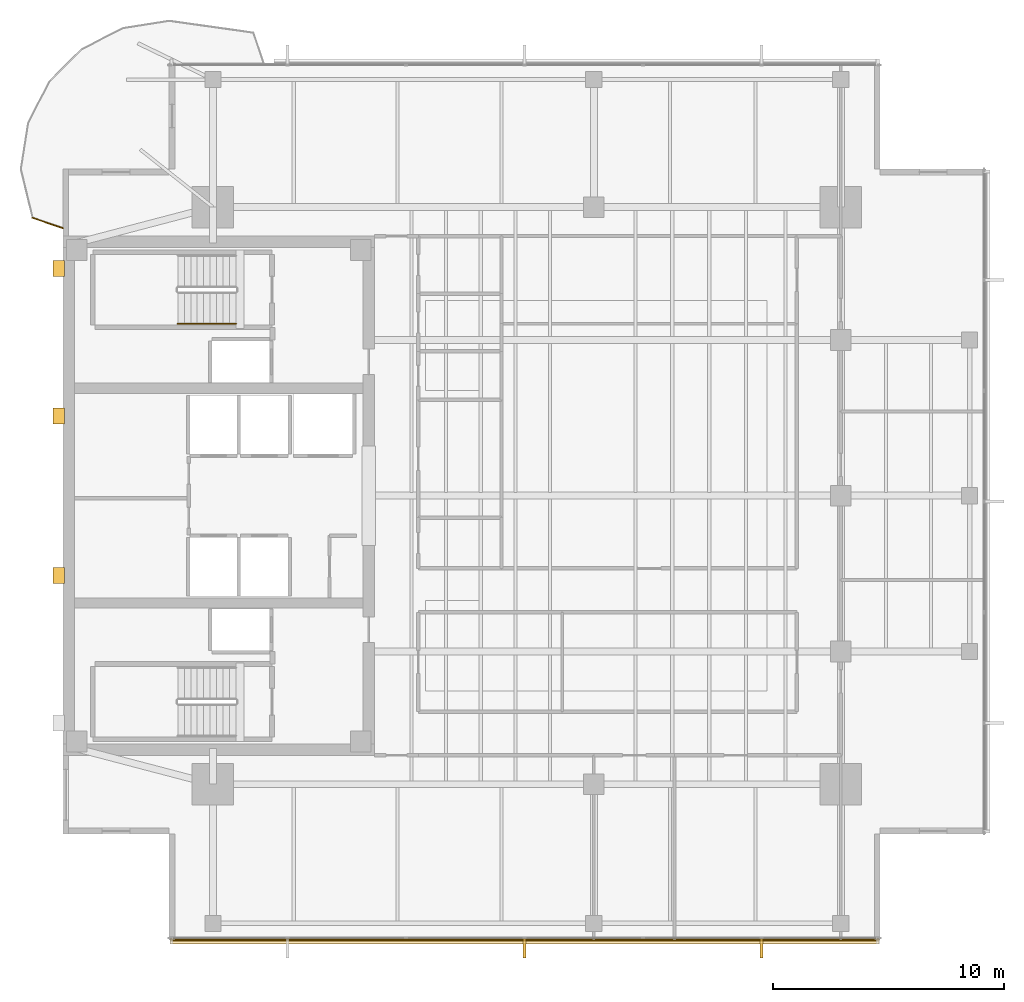
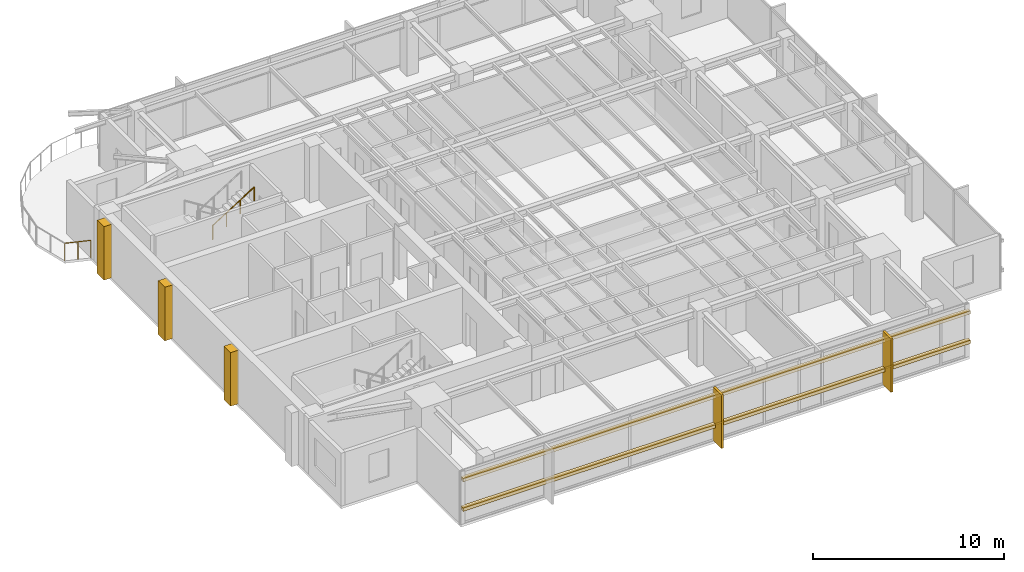
# One storey, part 12 of 14: 7 coverings, 2 railings, 2 shading devices.
"""IFC4 building model written with IfcOpenShell, lengths in metres."""

from ifc_helpers import new_model, si_unit, direction, frame, origin, origin_2d, place, context, subcontext, project, spatial, polyline, rectangle, circle, outline, extrude, material, layer, layer_set, material_profile, profile_set, type_object, element, save


model = new_model("IFC4")

# Units and contexts
model_context = context("Model", 3, precision=1e-05, world=origin(), true_north=direction((0.0, 1.0)))
body_context = subcontext(model_context, "Body", "Model", "MODEL_VIEW")
ifc_project = project(units=[si_unit("LENGTHUNIT", "METRE"), si_unit("AREAUNIT", "SQUARE_METRE"), si_unit("VOLUMEUNIT", "CUBIC_METRE"), si_unit("PLANEANGLEUNIT", "RADIAN"), si_unit("MASSUNIT", "GRAM", prefix="KILO")], contexts=[model_context])

# Site, building, storey
site_placement = place(None, origin())
site = spatial("IfcSite", under=ifc_project, at=site_placement, CompositionType="ELEMENT")
building_placement = place(site_placement, origin())
building = spatial("IfcBuilding", under=site, at=building_placement, Name="Kinhvarn Gate Tower", CompositionType="ELEMENT")
storey_placement = place(building_placement, frame((0.0, 0.0, 274.10009765625)))
storey = spatial("IfcBuildingStorey", under=building, at=storey_placement, Name="L73", CompositionType="ELEMENT", Elevation=274.10009765625)

# Coverings
ifc_material_1 = material(Name="Fired architectural terracotta", Category="masonry")
ifc_layer_1 = layer(ifc_material_1, 0.239990234375)
ifc_layer_set_1 = layer_set([ifc_layer_1], Name="Fired architectural terracotta")
covering_type_1 = type_object("IfcCoveringType", Name="COV-BAG-220", PredefinedType="CLADDING", material=ifc_layer_set_1)
for number, where, name in (
    (1, (0.0, 0.0, 0.93994140625), "Terracotta Horizontal Sunscreen Band TBG-220 (L73)"),
    (2, (0.0, 0.0, 2.829833984375), "Terracotta Horizontal Sunscreen Band TBG-220 (L73)"),
):
    element("IfcCovering", number, at=place(storey_placement, frame(where)), inside=storey, type_object=covering_type_1, Name=name, PredefinedType="CLADDING", context=body_context, shape_type="SweptSolid", body=[
        extrude(outline(polyline([(9.139892578125, 6.070068359375), (39.860107421875, 6.070068359375), (39.860107421875, 5.830078125), (9.139892578125, 5.830078125), (9.139892578125, 6.070068359375)])), origin(), (0.0, 0.0, 1.0), 0.219970703125),
    ])
ifc_layer_2 = layer(ifc_material_1, 0.139892578125)
ifc_layer_set_2 = layer_set([ifc_layer_2], Name="Fired architectural terracotta")
covering_type_2 = type_object("IfcCoveringType", Name="COV-FIN-850", PredefinedType="CLADDING", material=ifc_layer_set_2)
covering_1_placement = place(storey_placement, frame((0.0, 0.0, -0.02001953125)))
element("IfcCovering", 3, at=covering_1_placement, inside=storey, type_object=covering_type_2, Name="Vertical Terracotta Expressive Fin TFN-850 (L73)", PredefinedType="CLADDING", context=body_context, shape_type="SweptSolid", body=[
    extrude(outline(polyline([(24.429931640625, 6.080078125), (24.570068359375, 6.080078125), (24.570068359375, 5.22998046875), (24.429931640625, 5.22998046875), (24.429931640625, 6.080078125)])), origin(), (0.0, 0.0, 1.0), 3.429931640625),
])
covering_2_placement = place(storey_placement, frame((0.0, 0.0, -0.02001953125)))
element("IfcCovering", 4, at=covering_2_placement, inside=storey, type_object=covering_type_2, Name="Vertical Terracotta Expressive Fin TFN-850 (L73)", PredefinedType="CLADDING", context=body_context, shape_type="SweptSolid", body=[
    extrude(outline(polyline([(34.69677734375, 6.080078125), (34.836669921875, 6.080078125), (34.836669921875, 5.22998046875), (34.69677734375, 5.22998046875), (34.69677734375, 6.080078125)])), origin(), (0.0, 0.0, 1.0), 3.429931640625),
])
ifc_material_2 = material(Name="Precast white architectural concrete C40/50", Category="concrete")
ifc_layer_3 = layer(ifc_material_2, 0.47998046875)
ifc_layer_set_3 = layer_set([ifc_layer_3], Name="Precast white architectural concrete C40/50")
covering_type_3 = type_object("IfcCoveringType", Name="COV-RIB-450", PredefinedType="CLADDING", material=ifc_layer_set_3)
covering_3_placement = place(storey_placement, frame((0.0, 0.0, -0.02001953125)))
element("IfcCovering", 5, at=covering_3_placement, inside=storey, type_object=covering_type_3, Name="West Core Sculptural Concrete Relief Rib CRB-450 (L73)", PredefinedType="CLADDING", context=body_context, shape_type="SweptSolid", body=[
    extrude(outline(polyline([(4.080078125, 21.449951171875), (4.56005859375, 21.449951171875), (4.56005859375, 22.14990234375), (4.080078125, 22.14990234375), (4.080078125, 21.449951171875)])), origin(), (0.0, 0.0, 1.0), 3.429931640625),
])
covering_4_placement = place(storey_placement, frame((0.0, 0.0, -0.02001953125)))
element("IfcCovering", 6, at=covering_4_placement, inside=storey, type_object=covering_type_3, Name="West Core Sculptural Concrete Relief Rib CRB-450 (L73)", PredefinedType="CLADDING", context=body_context, shape_type="SweptSolid", body=[
    extrude(outline(polyline([(4.080078125, 28.35009765625), (4.56005859375, 28.35009765625), (4.56005859375, 29.050048828125), (4.080078125, 29.050048828125), (4.080078125, 28.35009765625)])), origin(), (0.0, 0.0, 1.0), 3.429931640625),
])
covering_5_placement = place(storey_placement, frame((0.0, 0.0, -0.02001953125)))
element("IfcCovering", 7, at=covering_5_placement, inside=storey, type_object=covering_type_3, Name="West Core Sculptural Concrete Relief Rib CRB-450 (L73)", PredefinedType="CLADDING", context=body_context, shape_type="SweptSolid", body=[
    extrude(outline(polyline([(4.080078125, 34.75), (4.56005859375, 34.75), (4.56005859375, 35.449951171875), (4.080078125, 35.449951171875), (4.080078125, 34.75)])), origin(), (0.0, 0.0, 1.0), 3.429931640625),
])

# Railings
ifc_material_3 = material(Name="Clear low-e double glazing", Category="glass")
railing_type_1 = type_object("IfcRailingType", Name="RL-BAL-1150", PredefinedType="BALUSTRADE", material=ifc_material_3)
railing_1_placement = place(storey_placement, frame((3.1787109375, 37.2900390625, 0.0)))
element("IfcRailing", 8, at=railing_1_placement, inside=storey, type_object=railing_type_1, Name="S-Carve Balcony Guardrail Seg 9 (L73)", PredefinedType="BALUSTRADE", context=body_context, shape_type="SweptSolid", body=[
    extrude(circle(Radius=0.02392578125, at=origin_2d()), frame((0.0, 0.0, 1.1259765625), z_axis=(0.946616976733, -0.322360511478, 0.0), x_axis=(0.322360511478, 0.946616976733, 0.0)), (0.0, 0.0, 1.0), 1.395751953125),
    extrude(circle(Radius=0.02099609375, at=origin_2d()), origin(), (0.0, 0.0, 1.0), 1.101806640625),
    extrude(circle(Radius=0.02099609375, at=origin_2d()), frame((0.66064453125, -0.22509765625, 0.0)), (0.0, 0.0, 1.0), 1.101806640625),
    extrude(circle(Radius=0.02099609375, at=origin_2d()), frame((1.3212890625, -0.449951171875, 0.0)), (0.0, 0.0, 1.0), 1.101806640625),
])
ifc_material_4 = material(Name="Steel S355", Category="steel")
railing_type_2 = type_object("IfcRailingType", Name="RL-ST-HND", PredefinedType="HANDRAIL", material=ifc_material_4)
railing_2_placement = place(storey_placement, frame((9.47998046875, 32.699951171875, 1.952392578125)))
element("IfcRailing", 9, at=railing_2_placement, inside=storey, type_object=railing_type_2, Name="L73 ST2 stair handrail 2", PredefinedType="HANDRAIL", context=body_context, shape_type="SweptSolid", body=[
    extrude(circle(Radius=0.02392578125, at=origin_2d()), frame((0.0, 0.0, 0.8759765625), z_axis=(0.84460694969, 0.0, 0.535386869969), x_axis=(0.0, 1.0, 0.0)), (0.0, 0.0, 1.0), 2.983642578125),
    extrude(circle(Radius=0.02099609375, at=origin_2d()), origin(), (0.0, 0.0, 1.0), 0.851806640625),
    extrude(circle(Radius=0.02099609375, at=origin_2d()), frame((0.840087890625, 0.0, 0.532470703125)), (0.0, 0.0, 1.0), 0.851806640625),
    extrude(circle(Radius=0.02099609375, at=origin_2d()), frame((1.679931640625, 0.0, 1.06494140625)), (0.0, 0.0, 1.0), 0.851806640625),
    extrude(circle(Radius=0.02099609375, at=origin_2d()), frame((2.52001953125, 0.0, 1.597412109375)), (0.0, 0.0, 1.0), 0.851806640625),
])

# Shading devices
ifc_material_profile = material_profile(ifc_material_1, rectangle(XDim=0.050048828125, YDim=0.1201171875, at=origin_2d()), Name="TC 50x120")
ifc_profile_set = profile_set([ifc_material_profile], Name="Fired architectural terracotta")
shading_device_type = type_object("IfcShadingDeviceType", Name="SHD-BAG-140", PredefinedType="USERDEFINED", material=ifc_profile_set)
for number, where, z_axis, x_axis, name in (
    (10, (9.139892578125, 6.0, 1.0498046875), (1.0, 0.0, 0.0), (0.0, 1.0, 0.0), "Upper Tower Terracotta Baguette Screen Rod 50x120 mm (L73)"),
    (11, (9.139892578125, 6.0, 2.93994140625), (1.0, 0.0, 0.0), (0.0, 1.0, 0.0), "Upper Tower Terracotta Baguette Screen Rod 50x120 mm (L73)"),
):
    element("IfcShadingDevice", number, at=place(storey_placement, frame(where, z_axis=z_axis, x_axis=x_axis)), inside=storey, type_object=shading_device_type, Name=name, ObjectType="BAGUETTE", PredefinedType="USERDEFINED", context=body_context, shape_type="SweptSolid", body=[
        extrude(rectangle(XDim=0.050048828125, YDim=0.1201171875, at=origin_2d()), origin(), (0.0, 0.0, 1.0), 30.72021484375),
    ])

save(model, "model.ifc")
